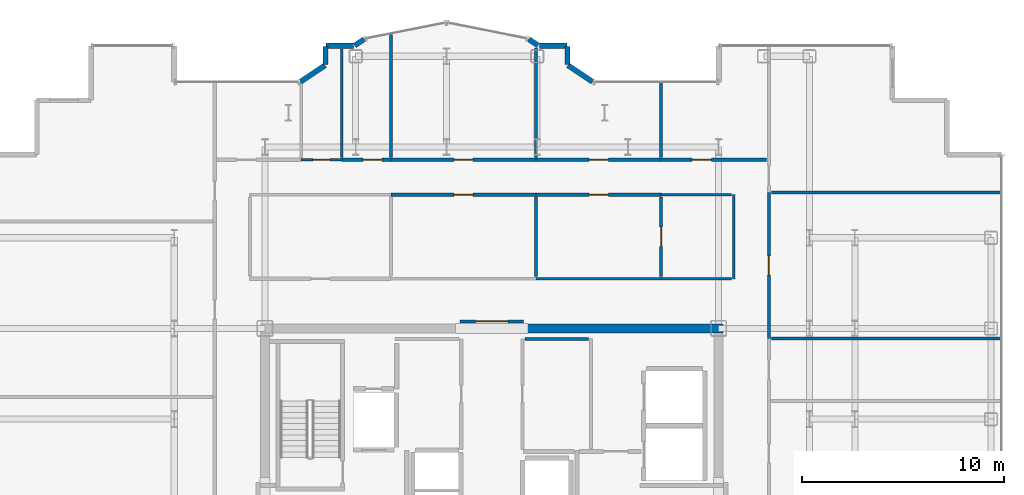
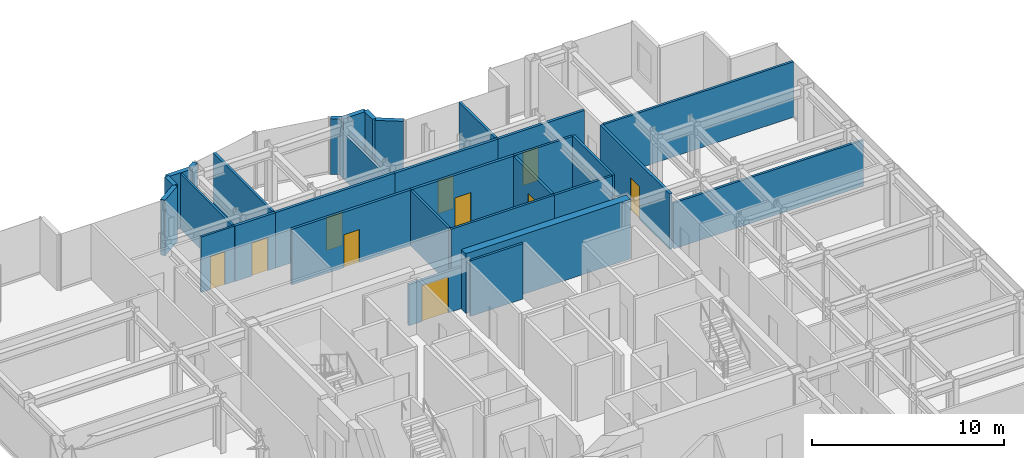
# One storey, part 18 of 20: 31 walls, 10 doors, 10 openings.
"""IFC4 building model written with IfcOpenShell, lengths in metres."""

from ifc_helpers import new_model, si_unit, direction, frame, frame_2d, origin, place, context, subcontext, project, spatial, rectangle, extrude, source, transform, mapped, material, layer, layer_set, type_object, element, fill, save


model = new_model("IFC4")

# Units and contexts
model_context = context("Model", 3, precision=1e-05, world=origin(), true_north=direction((0.0, 1.0)))
body_context = subcontext(model_context, "Body", "Model", "MODEL_VIEW")
ifc_project = project(units=[si_unit("LENGTHUNIT", "METRE"), si_unit("AREAUNIT", "SQUARE_METRE"), si_unit("VOLUMEUNIT", "CUBIC_METRE"), si_unit("PLANEANGLEUNIT", "RADIAN"), si_unit("MASSUNIT", "GRAM", prefix="KILO")], contexts=[model_context])

# Site, building, storey
site_placement = place(None, origin())
site = spatial("IfcSite", under=ifc_project, at=site_placement, CompositionType="ELEMENT")
building_placement = place(site_placement, origin())
building = spatial("IfcBuilding", under=site, at=building_placement, Name="Nefas-Gora Pilgrimage Tower", CompositionType="ELEMENT")
storey_placement = place(building_placement, frame((0.0, 0.0, 244.60009765625)))
storey = spatial("IfcBuildingStorey", under=building, at=storey_placement, Name="L61", CompositionType="ELEMENT", Elevation=244.60009765625)

# Walls
ifc_material_1 = material(Name="Concrete C50/60", Category="concrete")
ifc_layer_1 = layer(ifc_material_1, 0.449951171875)
ifc_layer_set_1 = layer_set([ifc_layer_1], Name="Concrete C50/60")
wall_type_1 = type_object("IfcWallType", Name="SW-CORE-450", PredefinedType="SHEAR", material=ifc_layer_set_1)
shared_shape_1 = source(origin(), body_context, "Body", "SweptSolid", [
    extrude(rectangle(XDim=9.925048828125, YDim=0.449951171875, at=frame_2d((4.96240234375, 0.0))), origin(), (0.0, 0.0, 1.0), 3.7998046875),
])
wall_1_placement = place(storey_placement, frame((1.550048828125, 9.0, 0.0), z_axis=(0.0, 0.0, 1.0), x_axis=(1.0, 0.0, 0.0)))
element("IfcWall", 1, at=wall_1_placement, inside=storey, type_object=wall_type_1, Name="L61 Core Shear Wall N-East", PredefinedType="SHEAR", context=body_context, shape_type="MappedRepresentation", body=[
    mapped(shared_shape_1, transform((0.0, 0.0, 0.0), x_axis=(1.0, 0.0, 0.0), y_axis=(0.0, 1.0, 0.0), z_axis=(0.0, 0.0, 1.0), scale=1.0)),
])
ifc_material_2 = material(Name="Precast concrete C40/50", Category="concrete")
ifc_layer_2 = layer(ifc_material_2, 0.260009765625)
ifc_layer_set_2 = layer_set([ifc_layer_2], Name="Precast concrete C40/50")
wall_type_2 = type_object("IfcWallType", Name="EW-PORTAL-260", PredefinedType="SOLIDWALL", material=ifc_layer_set_2)
shared_shape_2 = source(origin(), body_context, "Body", "SweptSolid", [
    extrude(rectangle(XDim=1.468994140625, YDim=0.260009765625, at=frame_2d((0.734375, 0.0))), origin(), (0.0, 0.0, 1.0), 3.5498046875),
])
for number, where, z_axis, x_axis, name in (
    (2, (4.99462890625, 21.235595703125, 0.0), (0.0, 0.0, 1.0), (-0.831461760506, 0.555581983884, 0.0), "L61 Lobe Shoulder Precast Spandrel Pier 11"),
    (3, (-8.273193359375, 22.0517578125, 0.0), (0.0, 0.0, 1.0), (-0.831461760506, -0.555581983884, 0.0), "L61 Lobe Shoulder Precast Spandrel Pier 18"),
):
    element("IfcWall", number, at=place(storey_placement, frame(where, z_axis=z_axis, x_axis=x_axis)), inside=storey, type_object=wall_type_2, Name=name, PredefinedType="SOLIDWALL", context=body_context, shape_type="MappedRepresentation", body=[
        mapped(shared_shape_2, transform((0.0, 0.0, 0.0), x_axis=(1.0, 0.0, 0.0), y_axis=(0.0, 1.0, 0.0), z_axis=(0.0, 0.0, 1.0), scale=1.0)),
    ])
shared_shape_3 = source(origin(), body_context, "Body", "SweptSolid", [
    extrude(rectangle(XDim=0.896728515625, YDim=0.260009765625, at=frame_2d((0.4482421875, 0.0))), origin(), (0.0, 0.0, 1.0), 3.5498046875),
])
for number, where, z_axis, x_axis, name in (
    (4, (3.75, 22.09521484375, 0.0), (0.0, 0.0, 1.0), (0.0, 1.0, 0.0), "L61 Lobe Shoulder Precast Spandrel Pier 12"),
    (5, (-8.25, 22.991943359375, 0.0), (0.0, 0.0, 1.0), (0.0, -1.0, 0.0), "L61 Lobe Shoulder Precast Spandrel Pier 17"),
):
    element("IfcWall", number, at=place(storey_placement, frame(where, z_axis=z_axis, x_axis=x_axis)), inside=storey, type_object=wall_type_2, Name=name, PredefinedType="SOLIDWALL", context=body_context, shape_type="MappedRepresentation", body=[
        mapped(shared_shape_3, transform((0.0, 0.0, 0.0), x_axis=(1.0, 0.0, 0.0), y_axis=(0.0, 1.0, 0.0), z_axis=(0.0, 0.0, 1.0), scale=1.0)),
    ])
shared_shape_4 = source(origin(), body_context, "Body", "SweptSolid", [
    extrude(rectangle(XDim=1.369873046875, YDim=0.260009765625, at=frame_2d((0.68505859375, 0.0))), origin(), (0.0, 0.0, 1.0), 3.5498046875),
])
for number, where, z_axis, x_axis, name in (
    (6, (3.721923828125, 23.02001953125, 0.0), (0.0, 0.0, 1.0), (-1.0, 0.0, 0.0), "L61 Lobe Shoulder Precast Spandrel Pier 13"),
    (7, (-6.85205078125, 23.02001953125, 0.0), (0.0, 0.0, 1.0), (-1.0, 0.0, 0.0), "L61 Lobe Shoulder Precast Spandrel Pier 16"),
):
    element("IfcWall", number, at=place(storey_placement, frame(where, z_axis=z_axis, x_axis=x_axis)), inside=storey, type_object=wall_type_2, Name=name, PredefinedType="SOLIDWALL", context=body_context, shape_type="MappedRepresentation", body=[
        mapped(shared_shape_4, transform((0.0, 0.0, 0.0), x_axis=(1.0, 0.0, 0.0), y_axis=(0.0, 1.0, 0.0), z_axis=(0.0, 0.0, 1.0), scale=1.0)),
    ])
shared_shape_5 = source(origin(), body_context, "Body", "SweptSolid", [
    extrude(rectangle(XDim=0.5654296875, YDim=0.260009765625, at=frame_2d((0.28271484375, 0.0))), origin(), (0.0, 0.0, 1.0), 3.5498046875),
])
for number, where, z_axis, x_axis, name in (
    (8, (2.30078125, 23.03564453125, 0.0), (0.0, 0.0, 1.0), (-0.831651492666, 0.555297933317, 0.0), "L61 Lobe Shoulder Precast Spandrel Pier 14"),
    (9, (-6.33056640625, 23.349609375, 0.0), (0.0, 0.0, 1.0), (-0.831651492666, -0.555297933317, 0.0), "L61 Lobe Shoulder Precast Spandrel Pier 15"),
):
    element("IfcWall", number, at=place(storey_placement, frame(where, z_axis=z_axis, x_axis=x_axis)), inside=storey, type_object=wall_type_2, Name=name, PredefinedType="SOLIDWALL", context=body_context, shape_type="MappedRepresentation", body=[
        mapped(shared_shape_5, transform((0.0, 0.0, 0.0), x_axis=(1.0, 0.0, 0.0), y_axis=(0.0, 1.0, 0.0), z_axis=(0.0, 0.0, 1.0), scale=1.0)),
    ])

# Wall, opening, door
ifc_material_3 = material(Name="Moisture-resistant fire-rated gypsum partition")
ifc_layer_3 = layer(ifc_material_3, 0.1201171875)
ifc_layer_set_3 = layer_set([ifc_layer_3], Name="Moisture-resistant fire-rated gypsum partition")
wall_type_3 = type_object("IfcWallType", Name="IW-WET-120", PredefinedType="PLUMBINGWALL", material=ifc_layer_set_3)
shared_shape_6 = source(origin(), body_context, "Body", "SweptSolid", [
    extrude(rectangle(XDim=2.02001953125, YDim=0.1201171875, at=frame_2d((1.010009765625, 0.0))), origin(), (0.0, 0.0, 1.0), 3.534912109375),
])
wall_2_placement = place(storey_placement, frame((-9.4599609375, 17.3701171875, 0.0), z_axis=(0.0, 0.0, 1.0), x_axis=(1.0, 0.0, 0.0)))
wall_2 = element("IfcWall", 10, at=wall_2_placement, inside=storey, type_object=wall_type_3, Name="L61 Accessible Unisex WC Partition Wall 25", PredefinedType="PLUMBINGWALL", context=body_context, shape_type="MappedRepresentation", body=[
    mapped(shared_shape_6, transform((0.0, 0.0, 0.0), x_axis=(1.0, 0.0, 0.0), y_axis=(0.0, 1.0, 0.0), z_axis=(0.0, 0.0, 1.0), scale=1.0)),
])
opening_1_placement = place(wall_2_placement, frame((0.5849609375, 0.0, 0.0)))
opening_1 = element("IfcOpeningElement", 11, at=opening_1_placement, cuts=wall_2, Name="Opening ID-BT1", PredefinedType="OPENING", context=body_context, shape_type="SweptSolid", body=[
    extrude(rectangle(XDim=0.85009765625, YDim=2.10009765625, at=frame_2d((0.425048828125, 1.050048828125))), frame((0.0, 0.070068359375, 0.0), z_axis=(0.0, -1.0, 0.0), x_axis=(1.0, 0.0, 0.0)), (0.0, 0.0, 1.0), 0.14013671875),
])
ifc_material_4 = material(Name="Moisture-resistant fire-rated timber door", Category="wood")
door_type_1 = type_object("IfcDoorType", Name="DR-INT-BATH-850", OperationType="NOTDEFINED", PredefinedType="DOOR", material=ifc_material_4)
shared_shape_7 = source(origin(), body_context, "Body", "SweptSolid", [
    extrude(rectangle(XDim=0.85009765625, YDim=2.10009765625, at=frame_2d((0.425048828125, 1.050048828125))), frame((0.0, 0.02490234375, 0.0), z_axis=(0.0, -1.0, 0.0), x_axis=(1.0, 0.0, 0.0)), (0.0, 0.0, 1.0), 0.050048828125),
])
door_1_placement = place(opening_1_placement, origin())
door_1 = element("IfcDoor", 12, at=door_1_placement, inside=storey, type_object=door_type_1, Name="L61 Accessible Unisex WC Door 10", OperationType="SINGLE_SWING_RIGHT", OverallHeight=2.10009765625, OverallWidth=0.85009765625, PredefinedType="DOOR", context=body_context, shape_type="MappedRepresentation", body=[
    mapped(shared_shape_7, transform((0.0, 0.0, 0.0), x_axis=(1.0, 0.0, 0.0), y_axis=(0.0, 1.0, 0.0), z_axis=(0.0, 0.0, 1.0), scale=1.0)),
])
fill(opening_1, door_1)

ifc_material_5 = material(Name="Gypsum acoustic stud partition")
ifc_layer_4 = layer(ifc_material_5, 0.159912109375)
ifc_layer_set_4 = layer_set([ifc_layer_4], Name="Gypsum acoustic stud partition")
wall_type_4 = type_object("IfcWallType", Name="IW-CORR-160", PredefinedType="PARTITIONING", material=ifc_layer_set_4)
shared_shape_8 = source(origin(), body_context, "Body", "SweptSolid", [
    extrude(rectangle(XDim=5.22509765625, YDim=0.159912109375, at=frame_2d((2.612548828125, 0.0))), origin(), (0.0, 0.0, 1.0), 3.534912109375),
])
wall_3_placement = place(storey_placement, frame((8.39501953125, 17.3701171875, 0.0), z_axis=(0.0, 0.0, 1.0), x_axis=(1.0, 0.0, 0.0)))
wall_3 = element("IfcWall", 13, at=wall_3_placement, inside=storey, type_object=wall_type_4, Name="L61 Pilgrim Contemplative Lounge Partition Wall 69", PredefinedType="PARTITIONING", context=body_context, shape_type="MappedRepresentation", body=[
    mapped(shared_shape_8, transform((0.0, 0.0, 0.0), x_axis=(1.0, 0.0, 0.0), y_axis=(0.0, 1.0, 0.0), z_axis=(0.0, 0.0, 1.0), scale=1.0)),
])
opening_2_placement = place(wall_3_placement, frame((1.543212890625, 0.0, 0.0)))
opening_2 = element("IfcOpeningElement", 14, at=opening_2_placement, cuts=wall_3, Name="Opening ID-GR1", PredefinedType="OPENING", context=body_context, shape_type="SweptSolid", body=[
    extrude(rectangle(XDim=0.949951171875, YDim=2.10009765625, at=frame_2d((0.47509765625, 1.050048828125))), frame((0.0, 0.08984375, 0.0), z_axis=(0.0, -1.0, 0.0), x_axis=(1.0, 0.0, 0.0)), (0.0, 0.0, 1.0), 0.179931640625),
])
ifc_material_6 = material(Name="Solid core oak fire-rated guest entrance door")
door_type_2 = type_object("IfcDoorType", Name="DR-INT-GUEST-950", OperationType="NOTDEFINED", PredefinedType="DOOR", material=ifc_material_6)
shared_shape_9 = source(origin(), body_context, "Body", "SweptSolid", [
    extrude(rectangle(XDim=0.949951171875, YDim=2.10009765625, at=frame_2d((0.47509765625, 1.050048828125))), frame((0.0, 0.02490234375, 0.0), z_axis=(0.0, -1.0, 0.0), x_axis=(1.0, 0.0, 0.0)), (0.0, 0.0, 1.0), 0.050048828125),
])
door_2_placement = place(opening_2_placement, origin())
door_2 = element("IfcDoor", 15, at=door_2_placement, inside=storey, type_object=door_type_2, Name="L61 Pilgrim Contemplative Lounge Door 32", OperationType="SINGLE_SWING_RIGHT", OverallHeight=2.10009765625, OverallWidth=0.949951171875, PredefinedType="DOOR", context=body_context, shape_type="MappedRepresentation", body=[
    mapped(shared_shape_9, transform((0.0, 0.0, 0.0), x_axis=(1.0, 0.0, 0.0), y_axis=(0.0, 1.0, 0.0), z_axis=(0.0, 0.0, 1.0), scale=1.0)),
])
fill(opening_2, door_2)

# Wall
ifc_material_7 = material(Name="Gypsum twin-stud partition")
ifc_layer_5 = layer(ifc_material_7, 0.139892578125)
ifc_layer_set_5 = layer_set([ifc_layer_5], Name="Gypsum twin-stud partition")
wall_type_5 = type_object("IfcWallType", Name="IW-UNIT-140", PredefinedType="PARTITIONING", material=ifc_layer_set_5)
shared_shape_10 = source(origin(), body_context, "Body", "SweptSolid", [
    extrude(rectangle(XDim=3.150146484375, YDim=0.139892578125, at=frame_2d((1.5751953125, 0.0))), origin(), (0.0, 0.0, 1.0), 3.534912109375),
])
wall_4_placement = place(storey_placement, frame((1.639892578125, 8.47998046875, 0.0), z_axis=(0.0, 0.0, 1.0), x_axis=(1.0, 0.0, 0.0)))
element("IfcWall", 16, at=wall_4_placement, inside=storey, type_object=wall_type_5, Name="L61 Freed Bank-1 Amenity Supply Store Partition Wall 24", PredefinedType="PARTITIONING", context=body_context, shape_type="MappedRepresentation", body=[
    mapped(shared_shape_10, transform((0.0, 0.0, 0.0), x_axis=(1.0, 0.0, 0.0), y_axis=(0.0, 1.0, 0.0), z_axis=(0.0, 0.0, 1.0), scale=1.0)),
])

# Wall, opening, door
shared_shape_11 = source(origin(), body_context, "Body", "SweptSolid", [
    extrude(rectangle(XDim=6.2099609375, YDim=0.159912109375, at=frame_2d((3.10498046875, 0.0))), origin(), (0.0, 0.0, 1.0), 3.534912109375),
])
wall_5_placement = place(storey_placement, frame((2.195068359375, 17.3701171875, 0.0), z_axis=(0.0, 0.0, 1.0), x_axis=(1.0, 0.0, 0.0)))
wall_5 = element("IfcWall", 17, at=wall_5_placement, inside=storey, type_object=wall_type_4, Name="L61 Pilgrim Contemplative Lounge Partition Wall 64", PredefinedType="PARTITIONING", context=body_context, shape_type="MappedRepresentation", body=[
    mapped(shared_shape_11, transform((0.0, 0.0, 0.0), x_axis=(1.0, 0.0, 0.0), y_axis=(0.0, 1.0, 0.0), z_axis=(0.0, 0.0, 1.0), scale=1.0)),
])
opening_3_placement = place(wall_5_placement, frame((2.6298828125, 0.0, 0.0)))
opening_3 = element("IfcOpeningElement", 18, at=opening_3_placement, cuts=wall_5, Name="Opening ID-GR1", PredefinedType="OPENING", context=body_context, shape_type="SweptSolid", body=[
    extrude(rectangle(XDim=0.949951171875, YDim=2.10009765625, at=frame_2d((0.47509765625, 1.050048828125))), frame((0.0, 0.08984375, 0.0), z_axis=(0.0, -1.0, 0.0), x_axis=(1.0, 0.0, 0.0)), (0.0, 0.0, 1.0), 0.179931640625),
])
door_3_placement = place(opening_3_placement, origin())
door_3 = element("IfcDoor", 19, at=door_3_placement, inside=storey, type_object=door_type_2, Name="L61 Pilgrim Contemplative Lounge Door 29", OperationType="SINGLE_SWING_LEFT", OverallHeight=2.10009765625, OverallWidth=0.949951171875, PredefinedType="DOOR", context=body_context, shape_type="MappedRepresentation", body=[
    mapped(shared_shape_9, transform((0.0, 0.0, 0.0), x_axis=(1.0, 0.0, 0.0), y_axis=(0.0, 1.0, 0.0), z_axis=(0.0, 0.0, 1.0), scale=1.0)),
])
fill(opening_3, door_3)

wall_6_placement = place(storey_placement, frame((2.195068359375, 15.6298828125, 0.0), z_axis=(0.0, 0.0, 1.0), x_axis=(1.0, 0.0, 0.0)))
wall_6 = element("IfcWall", 20, at=wall_6_placement, inside=storey, type_object=wall_type_4, Name="L61 Pilgrim Contemplative Lounge Partition Wall 66", PredefinedType="PARTITIONING", context=body_context, shape_type="MappedRepresentation", body=[
    mapped(shared_shape_11, transform((0.0, 0.0, 0.0), x_axis=(1.0, 0.0, 0.0), y_axis=(0.0, 1.0, 0.0), z_axis=(0.0, 0.0, 1.0), scale=1.0)),
])
opening_4_placement = place(wall_6_placement, frame((2.6298828125, 0.0, 0.0)))
opening_4 = element("IfcOpeningElement", 21, at=opening_4_placement, cuts=wall_6, Name="Opening ID-GR1", PredefinedType="OPENING", context=body_context, shape_type="SweptSolid", body=[
    extrude(rectangle(XDim=0.949951171875, YDim=2.10009765625, at=frame_2d((0.47509765625, 1.050048828125))), frame((0.0, 0.08984375, 0.0), z_axis=(0.0, -1.0, 0.0), x_axis=(1.0, 0.0, 0.0)), (0.0, 0.0, 1.0), 0.179931640625),
])
door_4_placement = place(opening_4_placement, origin())
door_4 = element("IfcDoor", 22, at=door_4_placement, inside=storey, type_object=door_type_2, Name="L61 Pilgrim Contemplative Lounge Door 30", OperationType="SINGLE_SWING_RIGHT", OverallHeight=2.10009765625, OverallWidth=0.949951171875, PredefinedType="DOOR", context=body_context, shape_type="MappedRepresentation", body=[
    mapped(shared_shape_9, transform((0.0, 0.0, 0.0), x_axis=(1.0, 0.0, 0.0), y_axis=(0.0, 1.0, 0.0), z_axis=(0.0, 0.0, 1.0), scale=1.0)),
])
fill(opening_4, door_4)

# Walls
shared_shape_12 = source(origin(), body_context, "Body", "SweptSolid", [
    extrude(rectangle(XDim=5.380126953125, YDim=0.1201171875, at=frame_2d((2.68994140625, 0.0))), origin(), (0.0, 0.0, 1.0), 3.534912109375),
])
wall_7_placement = place(storey_placement, frame((-7.449951171875, 17.469970703125, 0.0), z_axis=(0.0, 0.0, 1.0), x_axis=(0.0, 1.0, 0.0)))
element("IfcWall", 23, at=wall_7_placement, inside=storey, type_object=wall_type_3, Name="L61 Accessible Unisex WC Partition Wall 26", PredefinedType="PLUMBINGWALL", context=body_context, shape_type="MappedRepresentation", body=[
    mapped(shared_shape_12, transform((0.0, 0.0, 0.0), x_axis=(1.0, 0.0, 0.0), y_axis=(0.0, 1.0, 0.0), z_axis=(0.0, 0.0, 1.0), scale=1.0)),
])
shared_shape_13 = source(origin(), body_context, "Body", "SweptSolid", [
    extrude(rectangle(XDim=11.429931640625, YDim=0.139892578125, at=frame_2d((5.71484375, 0.0))), origin(), (0.0, 0.0, 1.0), 3.534912109375),
])
wall_8_placement = place(storey_placement, frame((13.860107421875, 15.74755859375, 0.0), z_axis=(0.0, 0.0, 1.0), x_axis=(1.0, 0.0, 0.0)))
element("IfcWall", 24, at=wall_8_placement, inside=storey, type_object=wall_type_5, Name="L61 Pilgrim Contemplative Lounge Partition Wall 50", PredefinedType="PARTITIONING", context=body_context, shape_type="MappedRepresentation", body=[
    mapped(shared_shape_13, transform((0.0, 0.0, 0.0), x_axis=(1.0, 0.0, 0.0), y_axis=(0.0, 1.0, 0.0), z_axis=(0.0, 0.0, 1.0), scale=1.0)),
])

# Wall, opening, door
shared_shape_14 = source(origin(), body_context, "Body", "SweptSolid", [
    extrude(rectangle(XDim=7.242431640625, YDim=0.159912109375, at=frame_2d((3.62109375, 0.0))), origin(), (0.0, 0.0, 1.0), 3.534912109375),
])
wall_9_placement = place(storey_placement, frame((13.739990234375, 8.4951171875, 0.0), z_axis=(0.0, 0.0, 1.0), x_axis=(0.0, 1.0, 0.0)))
wall_9 = element("IfcWall", 25, at=wall_9_placement, inside=storey, type_object=wall_type_4, Name="L61 Pilgrim Contemplative Lounge Partition Wall 51", PredefinedType="PARTITIONING", context=body_context, shape_type="MappedRepresentation", body=[
    mapped(shared_shape_14, transform((0.0, 0.0, 0.0), x_axis=(1.0, 0.0, 0.0), y_axis=(0.0, 1.0, 0.0), z_axis=(0.0, 0.0, 1.0), scale=1.0)),
])
opening_5_placement = place(wall_9_placement, frame((3.146240234375, 0.0, 0.0)))
opening_5 = element("IfcOpeningElement", 26, at=opening_5_placement, cuts=wall_9, Name="Opening ID-GR1", PredefinedType="OPENING", context=body_context, shape_type="SweptSolid", body=[
    extrude(rectangle(XDim=0.949951171875, YDim=2.10009765625, at=frame_2d((0.47509765625, 1.050048828125))), frame((0.0, 0.08984375, 0.0), z_axis=(0.0, -1.0, 0.0), x_axis=(1.0, 0.0, 0.0)), (0.0, 0.0, 1.0), 0.179931640625),
])
door_5_placement = place(opening_5_placement, origin())
door_5 = element("IfcDoor", 27, at=door_5_placement, inside=storey, type_object=door_type_2, Name="L61 Pilgrim Contemplative Lounge Door 23", OperationType="SINGLE_SWING_LEFT", OverallHeight=2.10009765625, OverallWidth=0.949951171875, PredefinedType="DOOR", context=body_context, shape_type="MappedRepresentation", body=[
    mapped(shared_shape_9, transform((0.0, 0.0, 0.0), x_axis=(1.0, 0.0, 0.0), y_axis=(0.0, 1.0, 0.0), z_axis=(0.0, 0.0, 1.0), scale=1.0)),
])
fill(opening_5, door_5)

# Wall
shared_shape_15 = source(origin(), body_context, "Body", "SweptSolid", [
    extrude(rectangle(XDim=3.929931640625, YDim=0.139892578125, at=frame_2d((1.96484375, 0.0))), origin(), (0.0, 0.0, 1.0), 3.534912109375),
])
wall_10_placement = place(storey_placement, frame((2.195068359375, 11.580078125, 0.0), z_axis=(0.0, 0.0, 1.0), x_axis=(0.0, 1.0, 0.0)))
element("IfcWall", 28, at=wall_10_placement, inside=storey, type_object=wall_type_5, Name="L61 Pilgrim Contemplative Lounge Partition Wall 63", PredefinedType="PARTITIONING", context=body_context, shape_type="MappedRepresentation", body=[
    mapped(shared_shape_15, transform((0.0, 0.0, 0.0), x_axis=(1.0, 0.0, 0.0), y_axis=(0.0, 1.0, 0.0), z_axis=(0.0, 0.0, 1.0), scale=1.0)),
])

# Wall, opening, door
shared_shape_16 = source(origin(), body_context, "Body", "SweptSolid", [
    extrude(rectangle(XDim=2.44482421875, YDim=0.159912109375, at=frame_2d((1.222412109375, 0.0))), origin(), (0.0, 0.0, 1.0), 3.534912109375),
])
wall_11_placement = place(storey_placement, frame((-7.43994140625, 17.3701171875, 0.0), z_axis=(0.0, 0.0, 1.0), x_axis=(1.0, 0.0, 0.0)))
wall_11 = element("IfcWall", 29, at=wall_11_placement, inside=storey, type_object=wall_type_4, Name="L61 Pilgrim Contemplative Lounge Partition Wall 56", PredefinedType="PARTITIONING", context=body_context, shape_type="MappedRepresentation", body=[
    mapped(shared_shape_16, transform((0.0, 0.0, 0.0), x_axis=(1.0, 0.0, 0.0), y_axis=(0.0, 1.0, 0.0), z_axis=(0.0, 0.0, 1.0), scale=1.0)),
])
opening_6_placement = place(wall_11_placement, frame((1.046630859375, 0.0, 0.0)))
opening_6 = element("IfcOpeningElement", 30, at=opening_6_placement, cuts=wall_11, Name="Opening ID-GR1", PredefinedType="OPENING", context=body_context, shape_type="SweptSolid", body=[
    extrude(rectangle(XDim=0.949951171875, YDim=2.10009765625, at=frame_2d((0.47509765625, 1.050048828125))), frame((0.0, 0.08984375, 0.0), z_axis=(0.0, -1.0, 0.0), x_axis=(1.0, 0.0, 0.0)), (0.0, 0.0, 1.0), 0.179931640625),
])
door_6_placement = place(opening_6_placement, origin())
door_6 = element("IfcDoor", 31, at=door_6_placement, inside=storey, type_object=door_type_2, Name="L61 Pilgrim Contemplative Lounge Door 25", OperationType="SINGLE_SWING_LEFT", OverallHeight=2.10009765625, OverallWidth=0.949951171875, PredefinedType="DOOR", context=body_context, shape_type="MappedRepresentation", body=[
    mapped(shared_shape_9, transform((0.0, 0.0, 0.0), x_axis=(1.0, 0.0, 0.0), y_axis=(0.0, 1.0, 0.0), z_axis=(0.0, 0.0, 1.0), scale=1.0)),
])
fill(opening_6, door_6)

# Walls
shared_shape_17 = source(origin(), body_context, "Body", "SweptSolid", [
    extrude(rectangle(XDim=6.15673828125, YDim=0.139892578125, at=frame_2d((3.078369140625, 0.0))), origin(), (0.0, 0.0, 1.0), 3.534912109375),
])
wall_12_placement = place(storey_placement, frame((-5.0048828125, 17.489990234375, 0.0), z_axis=(0.0, 0.0, 1.0), x_axis=(0.0, 1.0, 0.0)))
element("IfcWall", 32, at=wall_12_placement, inside=storey, type_object=wall_type_5, Name="L61 Pilgrim Contemplative Lounge Partition Wall 57", PredefinedType="PARTITIONING", context=body_context, shape_type="MappedRepresentation", body=[
    mapped(shared_shape_17, transform((0.0, 0.0, 0.0), x_axis=(1.0, 0.0, 0.0), y_axis=(0.0, 1.0, 0.0), z_axis=(0.0, 0.0, 1.0), scale=1.0)),
])
shared_shape_18 = source(origin(), body_context, "Body", "SweptSolid", [
    extrude(rectangle(XDim=3.75, YDim=0.139892578125, at=frame_2d((1.875, 0.0))), origin(), (0.0, 0.0, 1.0), 3.534912109375),
])
wall_13_placement = place(storey_placement, frame((8.39501953125, 17.489990234375, 0.0), z_axis=(0.0, 0.0, 1.0), x_axis=(0.0, 1.0, 0.0)))
element("IfcWall", 33, at=wall_13_placement, inside=storey, type_object=wall_type_5, Name="L61 Pilgrim Contemplative Lounge Partition Wall 65", PredefinedType="PARTITIONING", context=body_context, shape_type="MappedRepresentation", body=[
    mapped(shared_shape_18, transform((0.0, 0.0, 0.0), x_axis=(1.0, 0.0, 0.0), y_axis=(0.0, 1.0, 0.0), z_axis=(0.0, 0.0, 1.0), scale=1.0)),
])

# Wall, opening, door
shared_shape_19 = source(origin(), body_context, "Body", "SweptSolid", [
    extrude(rectangle(XDim=3.929931640625, YDim=0.159912109375, at=frame_2d((1.96484375, 0.0))), origin(), (0.0, 0.0, 1.0), 3.534912109375),
])
wall_14_placement = place(storey_placement, frame((8.39501953125, 11.580078125, 0.0), z_axis=(0.0, 0.0, 1.0), x_axis=(0.0, 1.0, 0.0)))
wall_14 = element("IfcWall", 34, at=wall_14_placement, inside=storey, type_object=wall_type_4, Name="L61 Pilgrim Contemplative Lounge Partition Wall 68", PredefinedType="PARTITIONING", context=body_context, shape_type="MappedRepresentation", body=[
    mapped(shared_shape_19, transform((0.0, 0.0, 0.0), x_axis=(1.0, 0.0, 0.0), y_axis=(0.0, 1.0, 0.0), z_axis=(0.0, 0.0, 1.0), scale=1.0)),
])
opening_7_placement = place(wall_14_placement, frame((1.489990234375, 0.0, 0.0)))
opening_7 = element("IfcOpeningElement", 35, at=opening_7_placement, cuts=wall_14, Name="Opening ID-GR1", PredefinedType="OPENING", context=body_context, shape_type="SweptSolid", body=[
    extrude(rectangle(XDim=0.949951171875, YDim=2.10009765625, at=frame_2d((0.47509765625, 1.050048828125))), frame((0.0, 0.08984375, 0.0), z_axis=(0.0, -1.0, 0.0), x_axis=(1.0, 0.0, 0.0)), (0.0, 0.0, 1.0), 0.179931640625),
])
door_7_placement = place(opening_7_placement, origin())
door_7 = element("IfcDoor", 36, at=door_7_placement, inside=storey, type_object=door_type_2, Name="L61 Pilgrim Contemplative Lounge Door 31", OperationType="SINGLE_SWING_LEFT", OverallHeight=2.10009765625, OverallWidth=0.949951171875, PredefinedType="DOOR", context=body_context, shape_type="MappedRepresentation", body=[
    mapped(shared_shape_9, transform((0.0, 0.0, 0.0), x_axis=(1.0, 0.0, 0.0), y_axis=(0.0, 1.0, 0.0), z_axis=(0.0, 0.0, 1.0), scale=1.0)),
])
fill(opening_7, door_7)

# Wall
shared_shape_20 = source(origin(), body_context, "Body", "SweptSolid", [
    extrude(rectangle(XDim=4.179931640625, YDim=0.139892578125, at=frame_2d((2.08984375, 0.0))), origin(), (0.0, 0.0, 1.0), 3.534912109375),
])
wall_15_placement = place(storey_placement, frame((12.0, 11.4599609375, 0.0), z_axis=(0.0, 0.0, 1.0), x_axis=(0.0, 1.0, 0.0)))
element("IfcWall", 37, at=wall_15_placement, inside=storey, type_object=wall_type_5, Name="L61 Pilgrim Contemplative Lounge Partition Wall 70", PredefinedType="PARTITIONING", context=body_context, shape_type="MappedRepresentation", body=[
    mapped(shared_shape_20, transform((0.0, 0.0, 0.0), x_axis=(1.0, 0.0, 0.0), y_axis=(0.0, 1.0, 0.0), z_axis=(0.0, 0.0, 1.0), scale=1.0)),
])

# Wall, opening, door
shared_shape_21 = source(origin(), body_context, "Body", "SweptSolid", [
    extrude(rectangle(XDim=7.2099609375, YDim=0.159912109375, at=frame_2d((3.60498046875, 0.0))), origin(), (0.0, 0.0, 1.0), 3.534912109375),
])
wall_16_placement = place(storey_placement, frame((-5.0048828125, 17.3701171875, 0.0), z_axis=(0.0, 0.0, 1.0), x_axis=(1.0, 0.0, 0.0)))
wall_16 = element("IfcWall", 38, at=wall_16_placement, inside=storey, type_object=wall_type_4, Name="L61 Pilgrim Contemplative Lounge Partition Wall 59", PredefinedType="PARTITIONING", context=body_context, shape_type="MappedRepresentation", body=[
    mapped(shared_shape_21, transform((0.0, 0.0, 0.0), x_axis=(1.0, 0.0, 0.0), y_axis=(0.0, 1.0, 0.0), z_axis=(0.0, 0.0, 1.0), scale=1.0)),
])
opening_8_placement = place(wall_16_placement, frame((3.1298828125, 0.0, 0.0)))
opening_8 = element("IfcOpeningElement", 39, at=opening_8_placement, cuts=wall_16, Name="Opening ID-GR1", PredefinedType="OPENING", context=body_context, shape_type="SweptSolid", body=[
    extrude(rectangle(XDim=0.949951171875, YDim=2.10009765625, at=frame_2d((0.47509765625, 1.050048828125))), frame((0.0, 0.08984375, 0.0), z_axis=(0.0, -1.0, 0.0), x_axis=(1.0, 0.0, 0.0)), (0.0, 0.0, 1.0), 0.179931640625),
])
door_8_placement = place(opening_8_placement, origin())
door_8 = element("IfcDoor", 40, at=door_8_placement, inside=storey, type_object=door_type_2, Name="L61 Pilgrim Contemplative Lounge Door 27", OperationType="SINGLE_SWING_LEFT", OverallHeight=2.10009765625, OverallWidth=0.949951171875, PredefinedType="DOOR", context=body_context, shape_type="MappedRepresentation", body=[
    mapped(shared_shape_9, transform((0.0, 0.0, 0.0), x_axis=(1.0, 0.0, 0.0), y_axis=(0.0, 1.0, 0.0), z_axis=(0.0, 0.0, 1.0), scale=1.0)),
])
fill(opening_8, door_8)

wall_17_placement = place(storey_placement, frame((-5.0048828125, 15.6298828125, 0.0), z_axis=(0.0, 0.0, 1.0), x_axis=(1.0, 0.0, 0.0)))
wall_17 = element("IfcWall", 41, at=wall_17_placement, inside=storey, type_object=wall_type_4, Name="L61 Pilgrim Contemplative Lounge Partition Wall 61", PredefinedType="PARTITIONING", context=body_context, shape_type="MappedRepresentation", body=[
    mapped(shared_shape_21, transform((0.0, 0.0, 0.0), x_axis=(1.0, 0.0, 0.0), y_axis=(0.0, 1.0, 0.0), z_axis=(0.0, 0.0, 1.0), scale=1.0)),
])
opening_9_placement = place(wall_17_placement, frame((3.1298828125, 0.0, 0.0)))
opening_9 = element("IfcOpeningElement", 42, at=opening_9_placement, cuts=wall_17, Name="Opening ID-GR1", PredefinedType="OPENING", context=body_context, shape_type="SweptSolid", body=[
    extrude(rectangle(XDim=0.949951171875, YDim=2.10009765625, at=frame_2d((0.47509765625, 1.050048828125))), frame((0.0, 0.08984375, 0.0), z_axis=(0.0, -1.0, 0.0), x_axis=(1.0, 0.0, 0.0)), (0.0, 0.0, 1.0), 0.179931640625),
])
door_9_placement = place(opening_9_placement, origin())
door_9 = element("IfcDoor", 43, at=door_9_placement, inside=storey, type_object=door_type_2, Name="L61 Pilgrim Contemplative Lounge Door 28", OperationType="SINGLE_SWING_RIGHT", OverallHeight=2.10009765625, OverallWidth=0.949951171875, PredefinedType="DOOR", context=body_context, shape_type="MappedRepresentation", body=[
    mapped(shared_shape_9, transform((0.0, 0.0, 0.0), x_axis=(1.0, 0.0, 0.0), y_axis=(0.0, 1.0, 0.0), z_axis=(0.0, 0.0, 1.0), scale=1.0)),
])
fill(opening_9, door_9)

# Walls
shared_shape_22 = source(origin(), body_context, "Body", "SweptSolid", [
    extrude(rectangle(XDim=3.494873046875, YDim=0.139892578125, at=frame_2d((1.74755859375, 0.0))), origin(), (0.0, 0.0, 1.0), 3.534912109375),
])
for number, where, z_axis, x_axis, name in (
    (44, (8.39501953125, 15.6298828125, 0.0), (0.0, 0.0, 1.0), (1.0, 0.0, 0.0), "L61 Pilgrim Contemplative Lounge Partition Wall 71"),
    (45, (8.39501953125, 11.469970703125, 0.0), (0.0, 0.0, 1.0), (1.0, 0.0, 0.0), "L61 Pilgrim Contemplative Lounge Partition Wall 72"),
):
    element("IfcWall", number, at=place(storey_placement, frame(where, z_axis=z_axis, x_axis=x_axis)), inside=storey, type_object=wall_type_5, Name=name, PredefinedType="PARTITIONING", context=body_context, shape_type="MappedRepresentation", body=[
        mapped(shared_shape_22, transform((0.0, 0.0, 0.0), x_axis=(1.0, 0.0, 0.0), y_axis=(0.0, 1.0, 0.0), z_axis=(0.0, 0.0, 1.0), scale=1.0)),
    ])

# Wall, opening, door
shared_shape_23 = source(origin(), body_context, "Body", "SweptSolid", [
    extrude(rectangle(XDim=3.16015625, YDim=0.159912109375, at=frame_2d((1.580078125, 0.0))), origin(), (0.0, 0.0, 1.0), 2.625),
])
wall_18_placement = place(storey_placement, frame((-1.580078125, 9.35009765625, 0.0), z_axis=(0.0, 0.0, 1.0), x_axis=(1.0, 0.0, 0.0)))
wall_18 = element("IfcWall", 46, at=wall_18_placement, inside=storey, type_object=wall_type_4, Name="L61 Central Lift Lobby North Portal Wall 15", PredefinedType="PARTITIONING", context=body_context, shape_type="MappedRepresentation", body=[
    mapped(shared_shape_23, transform((0.0, 0.0, 0.0), x_axis=(1.0, 0.0, 0.0), y_axis=(0.0, 1.0, 0.0), z_axis=(0.0, 0.0, 1.0), scale=1.0)),
])
opening_10_placement = place(wall_18_placement, frame((0.780029296875, 0.0, 0.0)))
opening_10 = element("IfcOpeningElement", 47, at=opening_10_placement, cuts=wall_18, Name="Opening ID-HL1", PredefinedType="OPENING", context=body_context, shape_type="SweptSolid", body=[
    extrude(rectangle(XDim=1.60009765625, YDim=2.300048828125, at=frame_2d((0.800048828125, 1.14990234375))), frame((0.0, 0.08984375, 0.0), z_axis=(0.0, -1.0, 0.0), x_axis=(1.0, 0.0, 0.0)), (0.0, 0.0, 1.0), 0.179931640625),
])
ifc_material_8 = material(Name="Double acoustic timber assembly hall door", Category="wood")
door_type_3 = type_object("IfcDoorType", Name="DR-INT-HALL-1600", OperationType="DOUBLE_DOOR_SINGLE_SWING", PredefinedType="DOOR", material=ifc_material_8)
shared_shape_24 = source(origin(), body_context, "Body", "SweptSolid", [
    extrude(rectangle(XDim=1.60009765625, YDim=2.300048828125, at=frame_2d((0.800048828125, 1.14990234375))), frame((0.0, 0.02490234375, 0.0), z_axis=(0.0, -1.0, 0.0), x_axis=(1.0, 0.0, 0.0)), (0.0, 0.0, 1.0), 0.050048828125),
])
door_10_placement = place(opening_10_placement, origin())
door_10 = element("IfcDoor", 48, at=door_10_placement, inside=storey, type_object=door_type_3, Name="L61 Central Lift Lobby North Portal Door 5", OperationType="DOUBLE_DOOR_SINGLE_SWING", OverallHeight=2.300048828125, OverallWidth=1.60009765625, PredefinedType="DOOR", context=body_context, shape_type="MappedRepresentation", body=[
    mapped(shared_shape_24, transform((0.0, 0.0, 0.0), x_axis=(1.0, 0.0, 0.0), y_axis=(0.0, 1.0, 0.0), z_axis=(0.0, 0.0, 1.0), scale=1.0)),
])
fill(opening_10, door_10)

# Walls
shared_shape_25 = source(origin(), body_context, "Body", "SweptSolid", [
    extrude(rectangle(XDim=11.429931640625, YDim=0.139892578125, at=frame_2d((5.71484375, 0.0))), origin(), (0.0, 0.0, 1.0), 2.9248046875),
])
wall_19_placement = place(storey_placement, frame((13.860107421875, 8.4951171875, 0.0), z_axis=(0.0, 0.0, 1.0), x_axis=(1.0, 0.0, 0.0)))
element("IfcWall", 49, at=wall_19_placement, inside=storey, type_object=wall_type_5, Name="L61 Scripture Reading Study Partition Wall 48", PredefinedType="PARTITIONING", context=body_context, shape_type="MappedRepresentation", body=[
    mapped(shared_shape_25, transform((0.0, 0.0, 0.0), x_axis=(1.0, 0.0, 0.0), y_axis=(0.0, 1.0, 0.0), z_axis=(0.0, 0.0, 1.0), scale=1.0)),
])
shared_shape_26 = source(origin(), body_context, "Body", "SweptSolid", [
    extrude(rectangle(XDim=6.2099609375, YDim=0.139892578125, at=frame_2d((3.10498046875, 0.0))), origin(), (0.0, 0.0, 1.0), 3.534912109375),
])
wall_20_placement = place(storey_placement, frame((2.195068359375, 11.469970703125, 0.0), z_axis=(0.0, 0.0, 1.0), x_axis=(1.0, 0.0, 0.0)))
element("IfcWall", 50, at=wall_20_placement, inside=storey, type_object=wall_type_5, Name="L61 Pilgrim Contemplative Lounge Partition Wall 67", PredefinedType="PARTITIONING", context=body_context, shape_type="MappedRepresentation", body=[
    mapped(shared_shape_26, transform((0.0, 0.0, 0.0), x_axis=(1.0, 0.0, 0.0), y_axis=(0.0, 1.0, 0.0), z_axis=(0.0, 0.0, 1.0), scale=1.0)),
])
shared_shape_27 = source(origin(), body_context, "Body", "SweptSolid", [
    extrude(rectangle(XDim=5.414306640625, YDim=0.139892578125, at=frame_2d((2.70703125, 0.0))), origin(), (0.0, 0.0, 1.0), 2.9248046875),
])
wall_21_placement = place(storey_placement, frame((2.195068359375, 17.489990234375, 0.0), z_axis=(0.0, 0.0, 1.0), x_axis=(0.0, 1.0, 0.0)))
element("IfcWall", 51, at=wall_21_placement, inside=storey, type_object=wall_type_5, Name="L61 Pilgrim Contemplative Lounge Partition Wall 60", PredefinedType="PARTITIONING", context=body_context, shape_type="MappedRepresentation", body=[
    mapped(shared_shape_27, transform((0.0, 0.0, 0.0), x_axis=(1.0, 0.0, 0.0), y_axis=(0.0, 1.0, 0.0), z_axis=(0.0, 0.0, 1.0), scale=1.0)),
])

save(model, "model.ifc")
